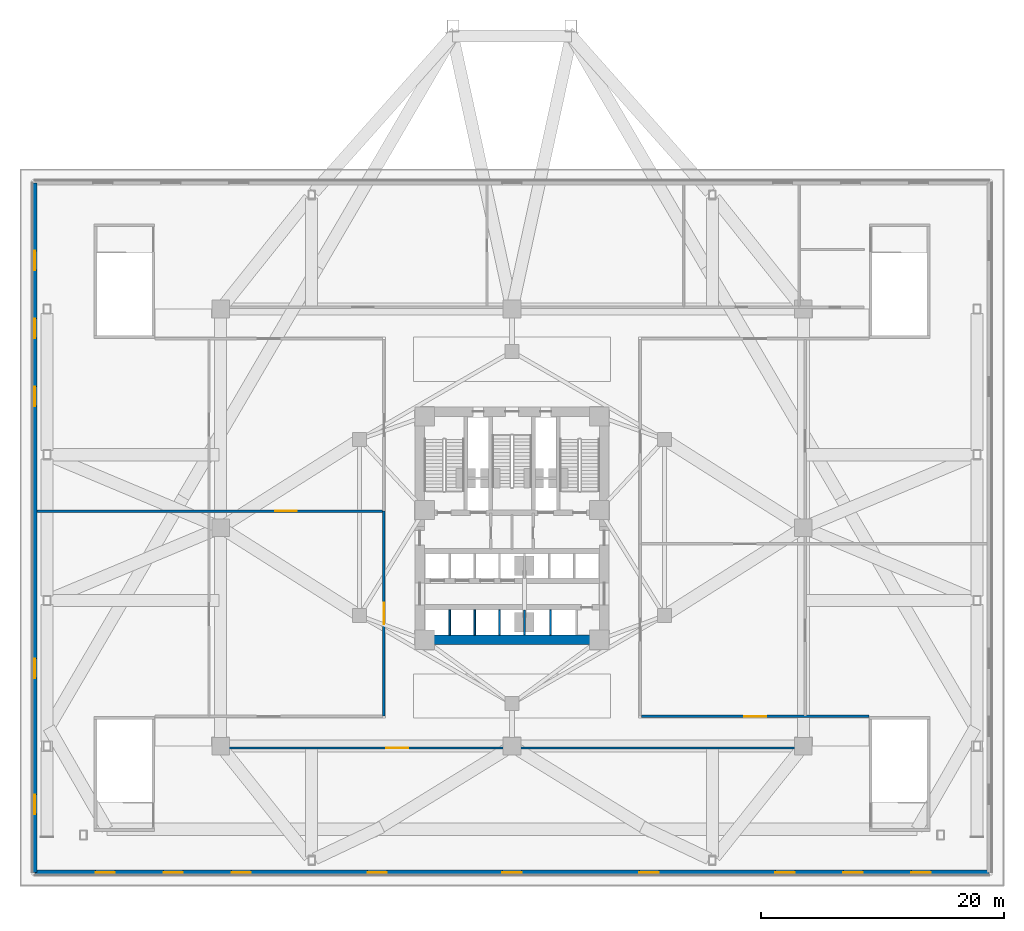
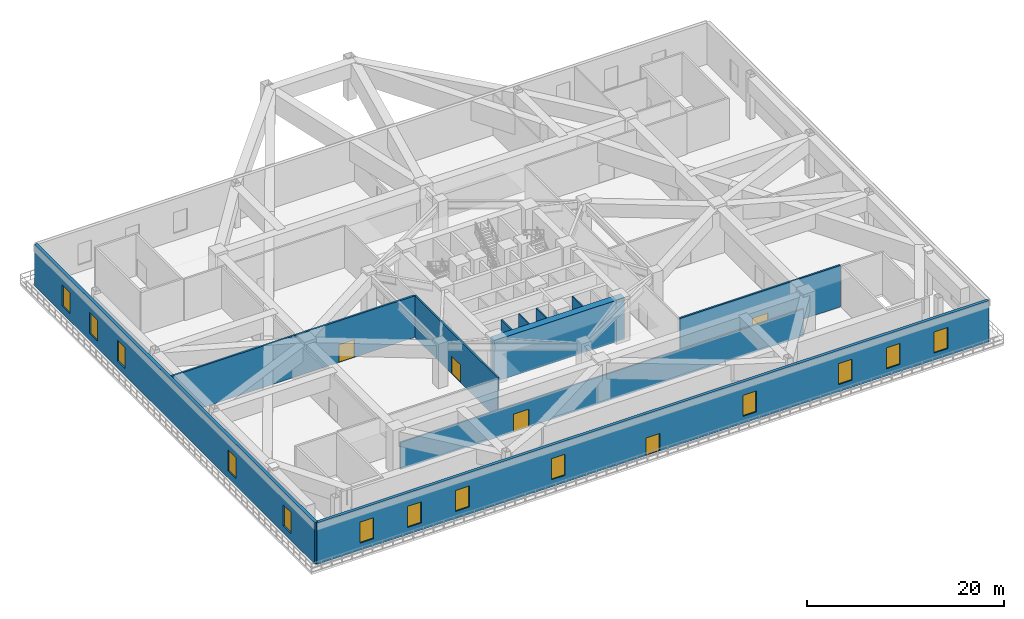
# One storey, part 6 of 15: 13 windows, 12 walls, 5 doors, 18 openings.
"""IFC4 building model written with IfcOpenShell, lengths in metres."""

from ifc_helpers import new_model, si_unit, direction, frame, frame_2d, origin, place, context, subcontext, project, spatial, rectangle, extrude, material, layer, layer_set, type_object, element, fill, save


model = new_model("IFC4")

# Units and contexts
model_context = context("Model", 3, precision=1e-05, world=origin(), true_north=direction((0.0, 1.0)))
body_context = subcontext(model_context, "Body", "Model", "MODEL_VIEW")
ifc_project = project(units=[si_unit("LENGTHUNIT", "METRE"), si_unit("AREAUNIT", "SQUARE_METRE"), si_unit("VOLUMEUNIT", "CUBIC_METRE"), si_unit("PLANEANGLEUNIT", "RADIAN"), si_unit("MASSUNIT", "GRAM", prefix="KILO")], contexts=[model_context])

# Site, building, storey
site_placement = place(None, origin())
site = spatial("IfcSite", under=ifc_project, at=site_placement, CompositionType="ELEMENT")
building_placement = place(site_placement, origin())
building = spatial("IfcBuilding", under=site, at=building_placement, Name="Apsidion Concourse Tower", CompositionType="ELEMENT")
storey_placement = place(building_placement, frame((0.0, 0.0, 23.5)))
storey = spatial("IfcBuildingStorey", under=building, at=storey_placement, Name="L04", CompositionType="ELEMENT", Elevation=23.5)

# Wall, openings, door, windows
ifc_material_1 = material(Name="Precast concrete C40/50", Category="concrete")
ifc_layer_1 = layer(ifc_material_1, 0.360107421875)
ifc_layer_set_1 = layer_set([ifc_layer_1], Name="Precast concrete C40/50")
wall_type_1 = type_object("IfcWallType", Name="WL-EXT-360", PredefinedType="STANDARD", material=ifc_layer_set_1)
wall_1_placement = place(storey_placement, frame((39.300048828125, -28.39990234375, 0.0), z_axis=(0.0, 0.0, 1.0), x_axis=(-1.0, 0.0, 0.0)))
wall_1 = element("IfcWall", 1, at=wall_1_placement, inside=storey, type_object=wall_type_1, Name="L04 Podium Precast Stone Facade Wall S", PredefinedType="STANDARD", context=body_context, shape_type="SweptSolid", body=[
    extrude(rectangle(XDim=78.60009765625, YDim=0.360107421875, at=frame_2d((39.300048828125, 0.0))), origin(), (0.0, 0.0, 1.0), 5.14990234375),
])
opening_1_placement = place(wall_1_placement, frame((38.5, 0.0, 0.0)))
opening_1 = element("IfcOpeningElement", 2, at=opening_1_placement, cuts=wall_1, Name="Opening D-T2D", PredefinedType="OPENING", context=body_context, shape_type="SweptSolid", body=[
    extrude(rectangle(XDim=1.60009765625, YDim=2.199951171875, at=frame_2d((0.800048828125, 1.10009765625))), frame((0.0, 0.18994140625, 0.0), z_axis=(0.0, -1.0, 0.0), x_axis=(1.0, 0.0, 0.0)), (0.0, 0.0, 1.0), 0.380126953125),
])
opening_2_placement = place(wall_1_placement, frame((4.800048828125, 0.0, 0.89990234375)))
opening_2 = element("IfcOpeningElement", 3, at=opening_2_placement, cuts=wall_1, Name="Opening WN-02", PredefinedType="OPENING", context=body_context, shape_type="SweptSolid", body=[
    extrude(rectangle(XDim=1.60009765625, YDim=2.60009765625, at=frame_2d((0.800048828125, 1.300048828125))), frame((0.0, 0.18994140625, 0.0), z_axis=(0.0, -1.0, 0.0), x_axis=(1.0, 0.0, 0.0)), (0.0, 0.0, 1.0), 0.380126953125),
])
opening_3_placement = place(wall_1_placement, frame((10.39990234375, 0.0, 0.89990234375)))
opening_3 = element("IfcOpeningElement", 4, at=opening_3_placement, cuts=wall_1, Name="Opening WN-02", PredefinedType="OPENING", context=body_context, shape_type="SweptSolid", body=[
    extrude(rectangle(XDim=1.60009765625, YDim=2.60009765625, at=frame_2d((0.800048828125, 1.300048828125))), frame((0.0, 0.18994140625, 0.0), z_axis=(0.0, -1.0, 0.0), x_axis=(1.0, 0.0, 0.0)), (0.0, 0.0, 1.0), 0.380126953125),
])
opening_4_placement = place(wall_1_placement, frame((16.0, 0.0, 0.89990234375)))
opening_4 = element("IfcOpeningElement", 5, at=opening_4_placement, cuts=wall_1, Name="Opening WN-02", PredefinedType="OPENING", context=body_context, shape_type="SweptSolid", body=[
    extrude(rectangle(XDim=1.60009765625, YDim=2.60009765625, at=frame_2d((0.800048828125, 1.300048828125))), frame((0.0, 0.18994140625, 0.0), z_axis=(0.0, -1.0, 0.0), x_axis=(1.0, 0.0, 0.0)), (0.0, 0.0, 1.0), 0.380126953125),
])
opening_5_placement = place(wall_1_placement, frame((27.199951171875, 0.0, 0.89990234375)))
opening_5 = element("IfcOpeningElement", 6, at=opening_5_placement, cuts=wall_1, Name="Opening WN-02", PredefinedType="OPENING", context=body_context, shape_type="SweptSolid", body=[
    extrude(rectangle(XDim=1.60009765625, YDim=2.60009765625, at=frame_2d((0.800048828125, 1.300048828125))), frame((0.0, 0.18994140625, 0.0), z_axis=(0.0, -1.0, 0.0), x_axis=(1.0, 0.0, 0.0)), (0.0, 0.0, 1.0), 0.380126953125),
])
opening_6_placement = place(wall_1_placement, frame((49.60009765625, 0.0, 0.89990234375)))
opening_6 = element("IfcOpeningElement", 7, at=opening_6_placement, cuts=wall_1, Name="Opening WN-02", PredefinedType="OPENING", context=body_context, shape_type="SweptSolid", body=[
    extrude(rectangle(XDim=1.60009765625, YDim=2.60009765625, at=frame_2d((0.800048828125, 1.300048828125))), frame((0.0, 0.18994140625, 0.0), z_axis=(0.0, -1.0, 0.0), x_axis=(1.0, 0.0, 0.0)), (0.0, 0.0, 1.0), 0.380126953125),
])
opening_7_placement = place(wall_1_placement, frame((60.800048828125, 0.0, 0.89990234375)))
opening_7 = element("IfcOpeningElement", 8, at=opening_7_placement, cuts=wall_1, Name="Opening WN-02", PredefinedType="OPENING", context=body_context, shape_type="SweptSolid", body=[
    extrude(rectangle(XDim=1.60009765625, YDim=2.60009765625, at=frame_2d((0.800048828125, 1.300048828125))), frame((0.0, 0.18994140625, 0.0), z_axis=(0.0, -1.0, 0.0), x_axis=(1.0, 0.0, 0.0)), (0.0, 0.0, 1.0), 0.380126953125),
])
opening_8_placement = place(wall_1_placement, frame((66.39990234375, 0.0, 0.89990234375)))
opening_8 = element("IfcOpeningElement", 9, at=opening_8_placement, cuts=wall_1, Name="Opening WN-02", PredefinedType="OPENING", context=body_context, shape_type="SweptSolid", body=[
    extrude(rectangle(XDim=1.60009765625, YDim=2.60009765625, at=frame_2d((0.800048828125, 1.300048828125))), frame((0.0, 0.18994140625, 0.0), z_axis=(0.0, -1.0, 0.0), x_axis=(1.0, 0.0, 0.0)), (0.0, 0.0, 1.0), 0.380126953125),
])
opening_9_placement = place(wall_1_placement, frame((72.0, 0.0, 0.89990234375)))
opening_9 = element("IfcOpeningElement", 10, at=opening_9_placement, cuts=wall_1, Name="Opening WN-02", PredefinedType="OPENING", context=body_context, shape_type="SweptSolid", body=[
    extrude(rectangle(XDim=1.60009765625, YDim=2.60009765625, at=frame_2d((0.800048828125, 1.300048828125))), frame((0.0, 0.18994140625, 0.0), z_axis=(0.0, -1.0, 0.0), x_axis=(1.0, 0.0, 0.0)), (0.0, 0.0, 1.0), 0.380126953125),
])
ifc_material_2 = material(Name="Anodised aluminium EN AW-6063 T6", Category="aluminium")
door_type_1 = type_object("IfcDoorType", Name="DR-TER-1622D", OperationType="DOUBLE_DOOR_SINGLE_SWING", PredefinedType="DOOR", material=ifc_material_2)
door_1_placement = place(opening_1_placement, origin())
door_1 = element("IfcDoor", 11, at=door_1_placement, inside=storey, type_object=door_type_1, Name="L04 Podium Terrace Access Door S", OperationType="DOUBLE_DOOR_SINGLE_SWING", OverallHeight=2.199951171875, OverallWidth=1.60009765625, PredefinedType="DOOR", context=body_context, shape_type="SweptSolid", body=[
    extrude(rectangle(XDim=1.60009765625, YDim=2.199951171875, at=frame_2d((0.800048828125, 1.10009765625))), frame((0.0, 0.02490234375, 0.0), z_axis=(0.0, -1.0, 0.0), x_axis=(1.0, 0.0, 0.0)), (0.0, 0.0, 1.0), 0.050048828125),
])
fill(opening_1, door_1)
ifc_material_3 = material(Name="Insulated laminated low-E glass", Category="glass")
window_type = type_object("IfcWindowType", Name="WN-POD-1626", PartitioningType="DOUBLE_PANEL_VERTICAL", PredefinedType="WINDOW", material=ifc_material_3)
window_1_placement = place(opening_2_placement, origin())
window_1 = element("IfcWindow", 12, at=window_1_placement, inside=storey, type_object=window_type, Name="L04 Podium Window S-01", OverallHeight=2.60009765625, OverallWidth=1.60009765625, PartitioningType="DOUBLE_PANEL_VERTICAL", PredefinedType="WINDOW", context=body_context, shape_type="SweptSolid", body=[
    extrude(rectangle(XDim=1.60009765625, YDim=2.60009765625, at=frame_2d((0.800048828125, 1.300048828125))), frame((0.0, 0.030029296875, 0.0), z_axis=(0.0, -1.0, 0.0), x_axis=(1.0, 0.0, 0.0)), (0.0, 0.0, 1.0), 0.06005859375),
])
fill(opening_2, window_1)
window_2_placement = place(opening_3_placement, origin())
window_2 = element("IfcWindow", 13, at=window_2_placement, inside=storey, type_object=window_type, Name="L04 Podium Window S-02", OverallHeight=2.60009765625, OverallWidth=1.60009765625, PartitioningType="DOUBLE_PANEL_VERTICAL", PredefinedType="WINDOW", context=body_context, shape_type="SweptSolid", body=[
    extrude(rectangle(XDim=1.60009765625, YDim=2.60009765625, at=frame_2d((0.800048828125, 1.300048828125))), frame((0.0, 0.030029296875, 0.0), z_axis=(0.0, -1.0, 0.0), x_axis=(1.0, 0.0, 0.0)), (0.0, 0.0, 1.0), 0.06005859375),
])
fill(opening_3, window_2)
window_3_placement = place(opening_4_placement, origin())
window_3 = element("IfcWindow", 14, at=window_3_placement, inside=storey, type_object=window_type, Name="L04 Podium Window S-03", OverallHeight=2.60009765625, OverallWidth=1.60009765625, PartitioningType="DOUBLE_PANEL_VERTICAL", PredefinedType="WINDOW", context=body_context, shape_type="SweptSolid", body=[
    extrude(rectangle(XDim=1.60009765625, YDim=2.60009765625, at=frame_2d((0.800048828125, 1.300048828125))), frame((0.0, 0.030029296875, 0.0), z_axis=(0.0, -1.0, 0.0), x_axis=(1.0, 0.0, 0.0)), (0.0, 0.0, 1.0), 0.06005859375),
])
fill(opening_4, window_3)
window_4_placement = place(opening_5_placement, origin())
window_4 = element("IfcWindow", 15, at=window_4_placement, inside=storey, type_object=window_type, Name="L04 Podium Window S-05", OverallHeight=2.60009765625, OverallWidth=1.60009765625, PartitioningType="DOUBLE_PANEL_VERTICAL", PredefinedType="WINDOW", context=body_context, shape_type="SweptSolid", body=[
    extrude(rectangle(XDim=1.60009765625, YDim=2.60009765625, at=frame_2d((0.800048828125, 1.300048828125))), frame((0.0, 0.030029296875, 0.0), z_axis=(0.0, -1.0, 0.0), x_axis=(1.0, 0.0, 0.0)), (0.0, 0.0, 1.0), 0.06005859375),
])
fill(opening_5, window_4)
window_5_placement = place(opening_6_placement, origin())
window_5 = element("IfcWindow", 16, at=window_5_placement, inside=storey, type_object=window_type, Name="L04 Podium Window S-09", OverallHeight=2.60009765625, OverallWidth=1.60009765625, PartitioningType="DOUBLE_PANEL_VERTICAL", PredefinedType="WINDOW", context=body_context, shape_type="SweptSolid", body=[
    extrude(rectangle(XDim=1.60009765625, YDim=2.60009765625, at=frame_2d((0.800048828125, 1.300048828125))), frame((0.0, 0.030029296875, 0.0), z_axis=(0.0, -1.0, 0.0), x_axis=(1.0, 0.0, 0.0)), (0.0, 0.0, 1.0), 0.06005859375),
])
fill(opening_6, window_5)
window_6_placement = place(opening_7_placement, origin())
window_6 = element("IfcWindow", 17, at=window_6_placement, inside=storey, type_object=window_type, Name="L04 Podium Window S-11", OverallHeight=2.60009765625, OverallWidth=1.60009765625, PartitioningType="DOUBLE_PANEL_VERTICAL", PredefinedType="WINDOW", context=body_context, shape_type="SweptSolid", body=[
    extrude(rectangle(XDim=1.60009765625, YDim=2.60009765625, at=frame_2d((0.800048828125, 1.300048828125))), frame((0.0, 0.030029296875, 0.0), z_axis=(0.0, -1.0, 0.0), x_axis=(1.0, 0.0, 0.0)), (0.0, 0.0, 1.0), 0.06005859375),
])
fill(opening_7, window_6)
window_7_placement = place(opening_8_placement, origin())
window_7 = element("IfcWindow", 18, at=window_7_placement, inside=storey, type_object=window_type, Name="L04 Podium Window S-12", OverallHeight=2.60009765625, OverallWidth=1.60009765625, PartitioningType="DOUBLE_PANEL_VERTICAL", PredefinedType="WINDOW", context=body_context, shape_type="SweptSolid", body=[
    extrude(rectangle(XDim=1.60009765625, YDim=2.60009765625, at=frame_2d((0.800048828125, 1.300048828125))), frame((0.0, 0.030029296875, 0.0), z_axis=(0.0, -1.0, 0.0), x_axis=(1.0, 0.0, 0.0)), (0.0, 0.0, 1.0), 0.06005859375),
])
fill(opening_8, window_7)
window_8_placement = place(opening_9_placement, origin())
window_8 = element("IfcWindow", 19, at=window_8_placement, inside=storey, type_object=window_type, Name="L04 Podium Window S-13", OverallHeight=2.60009765625, OverallWidth=1.60009765625, PartitioningType="DOUBLE_PANEL_VERTICAL", PredefinedType="WINDOW", context=body_context, shape_type="SweptSolid", body=[
    extrude(rectangle(XDim=1.60009765625, YDim=2.60009765625, at=frame_2d((0.800048828125, 1.300048828125))), frame((0.0, 0.030029296875, 0.0), z_axis=(0.0, -1.0, 0.0), x_axis=(1.0, 0.0, 0.0)), (0.0, 0.0, 1.0), 0.06005859375),
])
fill(opening_9, window_8)

# Wall, openings, windows
wall_2_placement = place(storey_placement, frame((-39.300048828125, -28.39990234375, 0.0), z_axis=(0.0, 0.0, 1.0), x_axis=(0.0, 1.0, 0.0)))
wall_2 = element("IfcWall", 20, at=wall_2_placement, inside=storey, type_object=wall_type_1, Name="L04 Podium Precast Stone Facade Wall W", PredefinedType="STANDARD", context=body_context, shape_type="SweptSolid", body=[
    extrude(rectangle(XDim=56.7998046875, YDim=0.360107421875, at=frame_2d((28.39990234375, 0.0))), origin(), (0.0, 0.0, 1.0), 5.14990234375),
])
opening_10_placement = place(wall_2_placement, frame((4.800048828125, 0.0, 0.89990234375)))
opening_10 = element("IfcOpeningElement", 21, at=opening_10_placement, cuts=wall_2, Name="Opening WN-02", PredefinedType="OPENING", context=body_context, shape_type="SweptSolid", body=[
    extrude(rectangle(XDim=1.60009765625, YDim=2.60009765625, at=frame_2d((0.800048828125, 1.300048828125))), frame((0.0, 0.18994140625, 0.0), z_axis=(0.0, -1.0, 0.0), x_axis=(1.0, 0.0, 0.0)), (0.0, 0.0, 1.0), 0.380126953125),
])
opening_11_placement = place(wall_2_placement, frame((16.0, 0.0, 0.89990234375)))
opening_11 = element("IfcOpeningElement", 22, at=opening_11_placement, cuts=wall_2, Name="Opening WN-02", PredefinedType="OPENING", context=body_context, shape_type="SweptSolid", body=[
    extrude(rectangle(XDim=1.60009765625, YDim=2.60009765625, at=frame_2d((0.800048828125, 1.300048828125))), frame((0.0, 0.18994140625, 0.0), z_axis=(0.0, -1.0, 0.0), x_axis=(1.0, 0.0, 0.0)), (0.0, 0.0, 1.0), 0.380126953125),
])
opening_12_placement = place(wall_2_placement, frame((38.39990234375, 0.0, 0.89990234375)))
opening_12 = element("IfcOpeningElement", 23, at=opening_12_placement, cuts=wall_2, Name="Opening WN-02", PredefinedType="OPENING", context=body_context, shape_type="SweptSolid", body=[
    extrude(rectangle(XDim=1.60009765625, YDim=2.60009765625, at=frame_2d((0.800048828125, 1.300048828125))), frame((0.0, 0.18994140625, 0.0), z_axis=(0.0, -1.0, 0.0), x_axis=(1.0, 0.0, 0.0)), (0.0, 0.0, 1.0), 0.380126953125),
])
opening_13_placement = place(wall_2_placement, frame((44.0, 0.0, 0.89990234375)))
opening_13 = element("IfcOpeningElement", 24, at=opening_13_placement, cuts=wall_2, Name="Opening WN-02", PredefinedType="OPENING", context=body_context, shape_type="SweptSolid", body=[
    extrude(rectangle(XDim=1.60009765625, YDim=2.60009765625, at=frame_2d((0.800048828125, 1.300048828125))), frame((0.0, 0.18994140625, 0.0), z_axis=(0.0, -1.0, 0.0), x_axis=(1.0, 0.0, 0.0)), (0.0, 0.0, 1.0), 0.380126953125),
])
opening_14_placement = place(wall_2_placement, frame((49.60009765625, 0.0, 0.89990234375)))
opening_14 = element("IfcOpeningElement", 25, at=opening_14_placement, cuts=wall_2, Name="Opening WN-02", PredefinedType="OPENING", context=body_context, shape_type="SweptSolid", body=[
    extrude(rectangle(XDim=1.60009765625, YDim=2.60009765625, at=frame_2d((0.800048828125, 1.300048828125))), frame((0.0, 0.18994140625, 0.0), z_axis=(0.0, -1.0, 0.0), x_axis=(1.0, 0.0, 0.0)), (0.0, 0.0, 1.0), 0.380126953125),
])
window_9_placement = place(opening_10_placement, origin())
window_9 = element("IfcWindow", 26, at=window_9_placement, inside=storey, type_object=window_type, Name="L04 Podium Window W-01", OverallHeight=2.60009765625, OverallWidth=1.60009765625, PartitioningType="DOUBLE_PANEL_VERTICAL", PredefinedType="WINDOW", context=body_context, shape_type="SweptSolid", body=[
    extrude(rectangle(XDim=1.60009765625, YDim=2.60009765625, at=frame_2d((0.800048828125, 1.300048828125))), frame((0.0, 0.030029296875, 0.0), z_axis=(0.0, -1.0, 0.0), x_axis=(1.0, 0.0, 0.0)), (0.0, 0.0, 1.0), 0.06005859375),
])
fill(opening_10, window_9)
window_10_placement = place(opening_11_placement, origin())
window_10 = element("IfcWindow", 27, at=window_10_placement, inside=storey, type_object=window_type, Name="L04 Podium Window W-03", OverallHeight=2.60009765625, OverallWidth=1.60009765625, PartitioningType="DOUBLE_PANEL_VERTICAL", PredefinedType="WINDOW", context=body_context, shape_type="SweptSolid", body=[
    extrude(rectangle(XDim=1.60009765625, YDim=2.60009765625, at=frame_2d((0.800048828125, 1.300048828125))), frame((0.0, 0.030029296875, 0.0), z_axis=(0.0, -1.0, 0.0), x_axis=(1.0, 0.0, 0.0)), (0.0, 0.0, 1.0), 0.06005859375),
])
fill(opening_11, window_10)
window_11_placement = place(opening_12_placement, origin())
window_11 = element("IfcWindow", 28, at=window_11_placement, inside=storey, type_object=window_type, Name="L04 Podium Window W-07", OverallHeight=2.60009765625, OverallWidth=1.60009765625, PartitioningType="DOUBLE_PANEL_VERTICAL", PredefinedType="WINDOW", context=body_context, shape_type="SweptSolid", body=[
    extrude(rectangle(XDim=1.60009765625, YDim=2.60009765625, at=frame_2d((0.800048828125, 1.300048828125))), frame((0.0, 0.030029296875, 0.0), z_axis=(0.0, -1.0, 0.0), x_axis=(1.0, 0.0, 0.0)), (0.0, 0.0, 1.0), 0.06005859375),
])
fill(opening_12, window_11)
window_12_placement = place(opening_13_placement, origin())
window_12 = element("IfcWindow", 29, at=window_12_placement, inside=storey, type_object=window_type, Name="L04 Podium Window W-08", OverallHeight=2.60009765625, OverallWidth=1.60009765625, PartitioningType="DOUBLE_PANEL_VERTICAL", PredefinedType="WINDOW", context=body_context, shape_type="SweptSolid", body=[
    extrude(rectangle(XDim=1.60009765625, YDim=2.60009765625, at=frame_2d((0.800048828125, 1.300048828125))), frame((0.0, 0.030029296875, 0.0), z_axis=(0.0, -1.0, 0.0), x_axis=(1.0, 0.0, 0.0)), (0.0, 0.0, 1.0), 0.06005859375),
])
fill(opening_13, window_12)
window_13_placement = place(opening_14_placement, origin())
window_13 = element("IfcWindow", 30, at=window_13_placement, inside=storey, type_object=window_type, Name="L04 Podium Window W-09", OverallHeight=2.60009765625, OverallWidth=1.60009765625, PartitioningType="DOUBLE_PANEL_VERTICAL", PredefinedType="WINDOW", context=body_context, shape_type="SweptSolid", body=[
    extrude(rectangle(XDim=1.60009765625, YDim=2.60009765625, at=frame_2d((0.800048828125, 1.300048828125))), frame((0.0, 0.030029296875, 0.0), z_axis=(0.0, -1.0, 0.0), x_axis=(1.0, 0.0, 0.0)), (0.0, 0.0, 1.0), 0.06005859375),
])
fill(opening_14, window_13)

# Wall, opening, door
ifc_layer_2 = layer(ifc_material_2, 0.2099609375)
ifc_layer_set_2 = layer_set([ifc_layer_2], Name="Anodised aluminium EN AW-6063 T6")
wall_type_2 = type_object("IfcWallType", Name="WL-INT-MOV-210", PredefinedType="MOVABLE", material=ifc_layer_set_2)
wall_3_placement = place(storey_placement, frame((-39.10498046875, 1.35009765625, 0.0), z_axis=(0.0, 0.0, 1.0), x_axis=(1.0, 0.0, 0.0)))
wall_3 = element("IfcWall", 31, at=wall_3_placement, inside=storey, type_object=wall_type_2, Name="L04 Interior Partition WL-L04-WH", PredefinedType="MOVABLE", context=body_context, shape_type="SweptSolid", body=[
    extrude(rectangle(XDim=28.455078125, YDim=0.2099609375, at=frame_2d((14.2275390625, 0.0))), origin(), (0.0, 0.0, 1.0), 5.14990234375),
])
opening_15_placement = place(wall_3_placement, frame((19.587646484375, 0.0, 0.0)))
opening_15 = element("IfcOpeningElement", 32, at=opening_15_placement, cuts=wall_3, Name="Opening D-06D", PredefinedType="OPENING", context=body_context, shape_type="SweptSolid", body=[
    extrude(rectangle(XDim=1.800048828125, YDim=2.199951171875, at=frame_2d((0.89990234375, 1.10009765625))), frame((0.0, 0.114990234375, 0.0), z_axis=(0.0, -1.0, 0.0), x_axis=(1.0, 0.0, 0.0)), (0.0, 0.0, 1.0), 0.22998046875),
])
ifc_material_4 = material(Name="Brushed stainless steel 316", Category="steel")
door_type_2 = type_object("IfcDoorType", Name="DR-INT-D06D", OperationType="DOUBLE_DOOR_SINGLE_SWING", PredefinedType="DOOR", material=ifc_material_4)
door_2_placement = place(opening_15_placement, origin())
door_2 = element("IfcDoor", 33, at=door_2_placement, inside=storey, type_object=door_type_2, Name="L04 Convention Door WL-L04-WH", OperationType="DOUBLE_DOOR_SINGLE_SWING", OverallHeight=2.199951171875, OverallWidth=1.800048828125, PredefinedType="DOOR", context=body_context, shape_type="SweptSolid", body=[
    extrude(rectangle(XDim=1.800048828125, YDim=2.199951171875, at=frame_2d((0.89990234375, 1.10009765625))), frame((0.0, 0.02490234375, 0.0), z_axis=(0.0, -1.0, 0.0), x_axis=(1.0, 0.0, 0.0)), (0.0, 0.0, 1.0), 0.050048828125),
])
fill(opening_15, door_2)

# Walls
ifc_material_5 = material(Name="Gypsum plasterboard partition")
ifc_layer_3 = layer(ifc_material_5, 0.14990234375)
ifc_layer_set_3 = layer_set([ifc_layer_3], Name="Gypsum plasterboard partition")
wall_type_3 = type_object("IfcWallType", Name="WL-INT-PAR-150", PredefinedType="PARTITIONING", material=ifc_layer_set_3)
for number, where, z_axis, x_axis, name in (
    (34, (-5.125, -8.85009765625, 0.0), (0.0, 0.0, 1.0), (0.0, 1.0, 0.0), "L04 Interior Partition WL-L04-B2DIV-1"),
    (35, (-3.074951171875, -8.85009765625, 0.0), (0.0, 0.0, 1.0), (0.0, 1.0, 0.0), "L04 Interior Partition WL-L04-B2DIV-2"),
    (36, (-1.02490234375, -8.85009765625, 0.0), (0.0, 0.0, 1.0), (0.0, 1.0, 0.0), "L04 Interior Partition WL-L04-B2DIV-3"),
    (37, (3.175048828125, -8.85009765625, 0.0), (0.0, 0.0, 1.0), (0.0, 1.0, 0.0), "L04 Interior Partition WL-L04-SHDIV-1"),
):
    element("IfcWall", number, at=place(storey_placement, frame(where, z_axis=z_axis, x_axis=x_axis)), inside=storey, type_object=wall_type_3, Name=name, PredefinedType="PARTITIONING", context=body_context, shape_type="SweptSolid", body=[
        extrude(rectangle(XDim=2.080078125, YDim=0.14990234375, at=frame_2d((1.0400390625, 0.0))), origin(), (0.0, 0.0, 1.0), 5.14990234375),
    ])
ifc_layer_4 = layer(ifc_material_5, 0.179931640625)
ifc_layer_set_4 = layer_set([ifc_layer_4], Name="Gypsum plasterboard partition")
wall_type_4 = type_object("IfcWallType", Name="WL-INT-PAR-180", PredefinedType="PARTITIONING", material=ifc_layer_set_4)
wall_4_placement = place(storey_placement, frame((1.02490234375, -8.85009765625, 0.0), z_axis=(0.0, 0.0, 1.0), x_axis=(0.0, 1.0, 0.0)))
element("IfcWall", 38, at=wall_4_placement, inside=storey, type_object=wall_type_4, Name="L04 Interior Partition WL-L04-B2END", PredefinedType="PARTITIONING", context=body_context, shape_type="SweptSolid", body=[
    extrude(rectangle(XDim=2.080078125, YDim=0.179931640625, at=frame_2d((1.0400390625, 0.0))), origin(), (0.0, 0.0, 1.0), 4.197998046875),
])

# Wall, opening, door
wall_5_placement = place(storey_placement, frame((-23.60009765625, -18.14990234375, 0.0), z_axis=(0.0, 0.0, 1.0), x_axis=(1.0, 0.0, 0.0)))
wall_5 = element("IfcWall", 39, at=wall_5_placement, inside=storey, type_object=wall_type_4, Name="L04 Interior Partition WL-L04-SW", PredefinedType="PARTITIONING", context=body_context, shape_type="SweptSolid", body=[
    extrude(rectangle(XDim=47.2001953125, YDim=0.179931640625, at=frame_2d((23.60009765625, 0.0))), origin(), (0.0, 0.0, 1.0), 3.330078125),
])
opening_16_placement = place(wall_5_placement, frame((13.260009765625, 0.0, 0.0)))
opening_16 = element("IfcOpeningElement", 40, at=opening_16_placement, cuts=wall_5, Name="Opening D-06D", PredefinedType="OPENING", context=body_context, shape_type="SweptSolid", body=[
    extrude(rectangle(XDim=1.800048828125, YDim=2.199951171875, at=frame_2d((0.89990234375, 1.10009765625))), frame((0.0, 0.10009765625, 0.0), z_axis=(0.0, -1.0, 0.0), x_axis=(1.0, 0.0, 0.0)), (0.0, 0.0, 1.0), 0.199951171875),
])
door_3_placement = place(opening_16_placement, origin())
door_3 = element("IfcDoor", 41, at=door_3_placement, inside=storey, type_object=door_type_2, Name="L04 Convention Door WL-L04-SW", OperationType="DOUBLE_DOOR_SINGLE_SWING", OverallHeight=2.199951171875, OverallWidth=1.800048828125, PredefinedType="DOOR", context=body_context, shape_type="SweptSolid", body=[
    extrude(rectangle(XDim=1.800048828125, YDim=2.199951171875, at=frame_2d((0.89990234375, 1.10009765625))), frame((0.0, 0.02490234375, 0.0), z_axis=(0.0, -1.0, 0.0), x_axis=(1.0, 0.0, 0.0)), (0.0, 0.0, 1.0), 0.050048828125),
])
fill(opening_16, door_3)

ifc_layer_5 = layer(ifc_material_5, 0.199951171875)
ifc_layer_set_5 = layer_set([ifc_layer_5], Name="Gypsum plasterboard partition")
wall_type_5 = type_object("IfcWallType", Name="WL-INT-PAR-200", PredefinedType="PARTITIONING", material=ifc_layer_set_5)
wall_6_placement = place(storey_placement, frame((-10.550048828125, -15.5, 0.0), z_axis=(0.0, 0.0, 1.0), x_axis=(0.0, 1.0, 0.0)))
wall_6 = element("IfcWall", 42, at=wall_6_placement, inside=storey, type_object=wall_type_5, Name="L04 Interior Partition WL-L04-W1", PredefinedType="PARTITIONING", context=body_context, shape_type="SweptSolid", body=[
    extrude(rectangle(XDim=16.85009765625, YDim=0.199951171875, at=frame_2d((8.425048828125, 0.0))), origin(), (0.0, 0.0, 1.0), 5.14990234375),
])
opening_17_placement = place(wall_6_placement, frame((7.52490234375, 0.0, 0.0)))
opening_17 = element("IfcOpeningElement", 43, at=opening_17_placement, cuts=wall_6, Name="Opening D-06D", PredefinedType="OPENING", context=body_context, shape_type="SweptSolid", body=[
    extrude(rectangle(XDim=1.800048828125, YDim=2.199951171875, at=frame_2d((0.89990234375, 1.10009765625))), frame((0.0, 0.10986328125, 0.0), z_axis=(0.0, -1.0, 0.0), x_axis=(1.0, 0.0, 0.0)), (0.0, 0.0, 1.0), 0.219970703125),
])
door_4_placement = place(opening_17_placement, origin())
door_4 = element("IfcDoor", 44, at=door_4_placement, inside=storey, type_object=door_type_2, Name="L04 Convention Door WL-L04-W1", OperationType="DOUBLE_DOOR_SINGLE_SWING", OverallHeight=2.199951171875, OverallWidth=1.800048828125, PredefinedType="DOOR", context=body_context, shape_type="SweptSolid", body=[
    extrude(rectangle(XDim=1.800048828125, YDim=2.199951171875, at=frame_2d((0.89990234375, 1.10009765625))), frame((0.0, 0.02490234375, 0.0), z_axis=(0.0, -1.0, 0.0), x_axis=(1.0, 0.0, 0.0)), (0.0, 0.0, 1.0), 0.050048828125),
])
fill(opening_17, door_4)

wall_7_placement = place(storey_placement, frame((10.64990234375, -15.550048828125, 0.0), z_axis=(0.0, 0.0, 1.0), x_axis=(1.0, 0.0, 0.0)))
wall_7 = element("IfcWall", 45, at=wall_7_placement, inside=storey, type_object=wall_type_5, Name="L04 Interior Partition WL-L04-S2", PredefinedType="PARTITIONING", context=body_context, shape_type="SweptSolid", body=[
    extrude(rectangle(XDim=18.75, YDim=0.199951171875, at=frame_2d((9.375, 0.0))), origin(), (0.0, 0.0, 1.0), 5.14990234375),
])
opening_18_placement = place(wall_7_placement, frame((8.47509765625, 0.0, 0.0)))
opening_18 = element("IfcOpeningElement", 46, at=opening_18_placement, cuts=wall_7, Name="Opening D-06D", PredefinedType="OPENING", context=body_context, shape_type="SweptSolid", body=[
    extrude(rectangle(XDim=1.800048828125, YDim=2.199951171875, at=frame_2d((0.89990234375, 1.10009765625))), frame((0.0, 0.10986328125, 0.0), z_axis=(0.0, -1.0, 0.0), x_axis=(1.0, 0.0, 0.0)), (0.0, 0.0, 1.0), 0.219970703125),
])
door_5_placement = place(opening_18_placement, origin())
door_5 = element("IfcDoor", 47, at=door_5_placement, inside=storey, type_object=door_type_2, Name="L04 Convention Door WL-L04-S2", OperationType="DOUBLE_DOOR_SINGLE_SWING", OverallHeight=2.199951171875, OverallWidth=1.800048828125, PredefinedType="DOOR", context=body_context, shape_type="SweptSolid", body=[
    extrude(rectangle(XDim=1.800048828125, YDim=2.199951171875, at=frame_2d((0.89990234375, 1.10009765625))), frame((0.0, 0.02490234375, 0.0), z_axis=(0.0, -1.0, 0.0), x_axis=(1.0, 0.0, 0.0)), (0.0, 0.0, 1.0), 0.050048828125),
])
fill(opening_18, door_5)

# Wall
ifc_material_6 = material(Name="Concrete C60/75", Category="concrete")
ifc_layer_6 = layer(ifc_material_6, 0.800048828125)
ifc_layer_set_6 = layer_set([ifc_layer_6], Name="Concrete C60/75")
wall_type_6 = type_object("IfcWallType", Name="WL-SH-800", PredefinedType="SHEAR", material=ifc_layer_set_6)
wall_8_placement = place(storey_placement, frame((-7.60009765625, -9.25, 0.0), z_axis=(0.0, 0.0, 1.0), x_axis=(1.0, 0.0, 0.0)))
element("IfcWall", 48, at=wall_8_placement, inside=storey, type_object=wall_type_6, Name="L04 Central Core Shear Wall S", PredefinedType="SHEAR", context=body_context, shape_type="SweptSolid", body=[
    extrude(rectangle(XDim=15.2001953125, YDim=0.800048828125, at=frame_2d((7.60009765625, 0.0))), origin(), (0.0, 0.0, 1.0), 5.14990234375),
])

save(model, "model.ifc")
